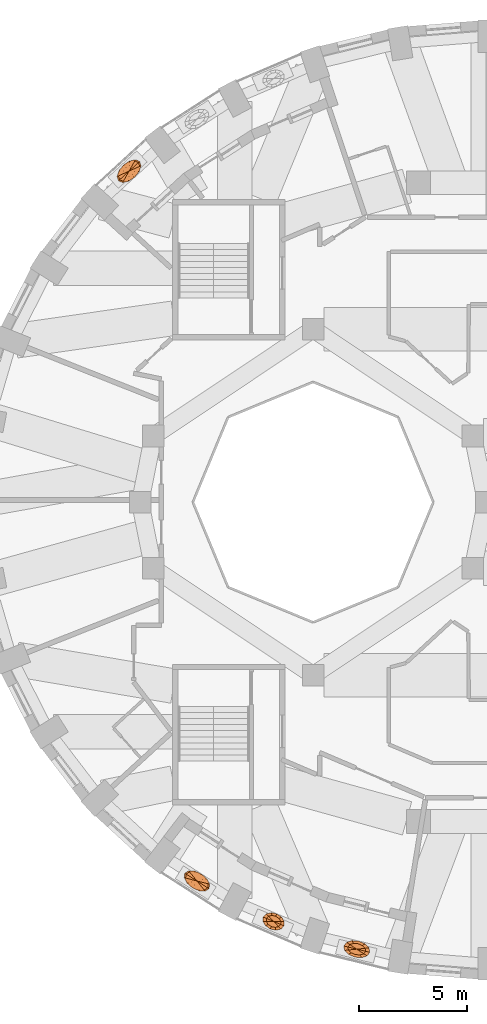
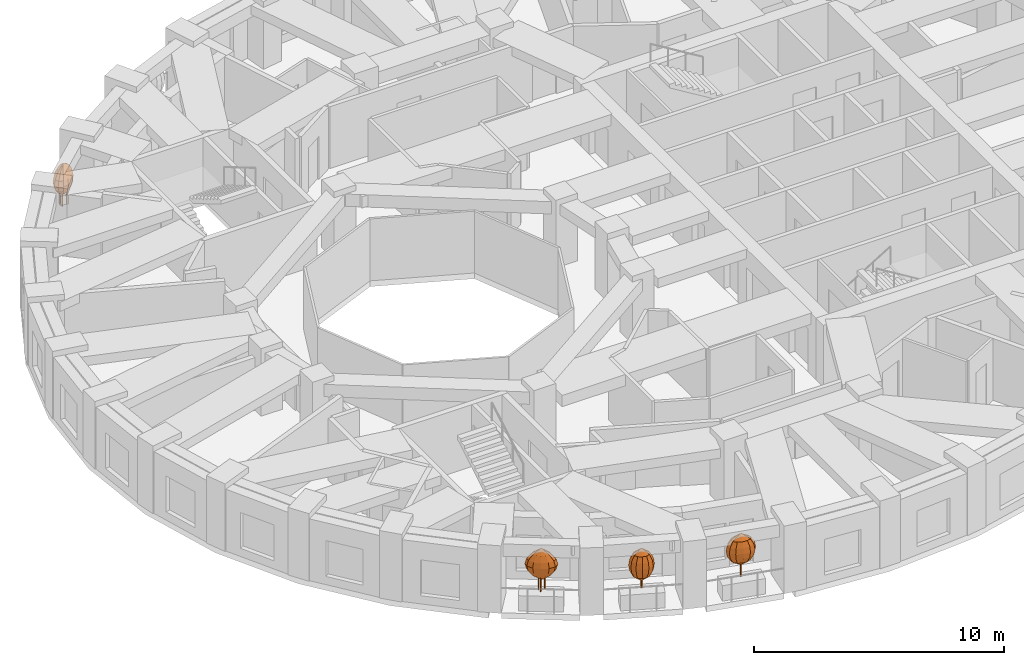
# One storey, part 11 of 12: 4 geographic elements.
"""IFC4 building model written with IfcOpenShell, lengths in metres."""

from ifc_helpers import new_model, si_unit, direction, frame, origin, place, context, subcontext, project, spatial, faceted_brep, material, constituent, constituent_set, type_object, element, save


model = new_model("IFC4")

# Units and contexts
model_context = context("Model", 3, precision=1e-05, world=origin(), true_north=direction((0.0, 1.0)))
body_context = subcontext(model_context, "Body", "Model", "MODEL_VIEW")
ifc_project = project(units=[si_unit("LENGTHUNIT", "METRE"), si_unit("AREAUNIT", "SQUARE_METRE"), si_unit("VOLUMEUNIT", "CUBIC_METRE"), si_unit("PLANEANGLEUNIT", "RADIAN"), si_unit("MASSUNIT", "GRAM", prefix="KILO")], contexts=[model_context])

# Site, building, storey
site_placement = place(None, origin())
site = spatial("IfcSite", under=ifc_project, at=site_placement, CompositionType="ELEMENT")
building_placement = place(site_placement, origin())
building = spatial("IfcBuilding", under=site, at=building_placement, Name="Taillehof Tower", CompositionType="ELEMENT")
storey_placement = place(building_placement, frame((0.0, 0.0, 164.89990234375)))
storey = spatial("IfcBuildingStorey", under=building, at=storey_placement, Name="L46", CompositionType="ELEMENT", Elevation=164.89990234375)

# Geographic elements
ifc_material_1 = material(Name="Tree bark", Category="timber")
ifc_constituent_1 = constituent(ifc_material_1, Name="Trunk", Category="timber")
ifc_material_2 = material(Name="Tree foliage")
ifc_constituent_2 = constituent(ifc_material_2, Name="Crown")
ifc_constituent_set_1 = constituent_set(constituents=[ifc_constituent_1, ifc_constituent_2], Name="Tree TR1 Columnar hornbeam")
geographic_element_type_1 = type_object("IfcGeographicElementType", Name="Tree TR1 Columnar hornbeam", PredefinedType="USERDEFINED", material=ifc_constituent_set_1)
geographic_element_1_placement = place(storey_placement, frame((-5.9794921875, -20.673583984375, 0.75)))
element("IfcGeographicElement", 1, at=geographic_element_1_placement, inside=storey, type_object=geographic_element_type_1, Name="Tree TR1 Columnar hornbeam", ObjectType="TREE", PredefinedType="USERDEFINED", context=body_context, shape_type="Brep", body=[
    faceted_brep([(0.030029296875, 0.0, 0.0), (0.021240234375, 0.021240234375, 0.0), (0.021240234375, 0.021240234375, 1.092529296875), (0.030029296875, 0.0, 1.092529296875), (0.0, 0.030029296875, 0.0), (0.0, 0.030029296875, 1.092529296875), (-0.021240234375, 0.021240234375, 0.0), (-0.021240234375, 0.021240234375, 1.092529296875), (-0.030029296875, 0.0, 0.0), (-0.030029296875, 0.0, 1.092529296875), (-0.021240234375, -0.021240234375, 0.0), (-0.021240234375, -0.021240234375, 1.092529296875), (0.0, -0.030029296875, 0.0), (0.0, -0.030029296875, 1.092529296875), (0.021240234375, -0.021240234375, 0.0), (0.021240234375, -0.021240234375, 1.092529296875)], [[[0, 1, 2, 3]], [[1, 4, 5, 2]], [[4, 6, 7, 5]], [[6, 8, 9, 7]], [[8, 10, 11, 9]], [[10, 12, 13, 11]], [[12, 14, 15, 13]], [[14, 0, 3, 15]], [[14, 12, 10, 8, 6, 4, 1, 0]], [[3, 2, 5, 7, 9, 11, 13, 15]]]),
    faceted_brep([(0.0, 0.0, 0.550048828125), (0.3857421875, 0.0390625, 0.808349609375), (0.40966796875, -0.100341796875, 0.808349609375), (0.25830078125, 0.168212890625, 0.808349609375), (0.061767578125, 0.252197265625, 0.808349609375), (-0.1513671875, 0.2685546875, 0.808349609375), (-0.323974609375, 0.212890625, 0.808349609375), (-0.40966796875, 0.100341796875, 0.808349609375), (-0.3857421875, -0.0390625, 0.808349609375), (-0.25830078125, -0.168212890625, 0.808349609375), (-0.061767578125, -0.252197265625, 0.808349609375), (0.1513671875, -0.2685546875, 0.808349609375), (0.323974609375, -0.212890625, 0.808349609375), (0.521728515625, 0.052978515625, 1.066650390625), (0.55419921875, -0.1357421875, 1.066650390625), (0.349365234375, 0.227294921875, 1.066650390625), (0.08349609375, 0.341064453125, 1.066650390625), (-0.20458984375, 0.36328125, 1.066650390625), (-0.43798828125, 0.2880859375, 1.066650390625), (-0.55419921875, 0.1357421875, 1.066650390625), (-0.521728515625, -0.052978515625, 1.066650390625), (-0.349365234375, -0.227294921875, 1.066650390625), (-0.08349609375, -0.341064453125, 1.066650390625), (0.20458984375, -0.36328125, 1.066650390625), (0.43798828125, -0.2880859375, 1.066650390625), (0.564697265625, 0.05712890625, 1.324951171875), (0.599853515625, -0.14697265625, 1.324951171875), (0.378173828125, 0.24609375, 1.324951171875), (0.090576171875, 0.369140625, 1.324951171875), (-0.221435546875, 0.39306640625, 1.324951171875), (-0.47412109375, 0.311767578125, 1.324951171875), (-0.599853515625, 0.14697265625, 1.324951171875), (-0.564697265625, -0.05712890625, 1.324951171875), (-0.378173828125, -0.24609375, 1.324951171875), (-0.090576171875, -0.369140625, 1.324951171875), (0.221435546875, -0.39306640625, 1.324951171875), (0.47412109375, -0.311767578125, 1.324951171875), (0.521728515625, 0.052978515625, 1.583251953125), (0.55419921875, -0.1357421875, 1.583251953125), (0.349365234375, 0.227294921875, 1.583251953125), (0.08349609375, 0.341064453125, 1.583251953125), (-0.20458984375, 0.36328125, 1.583251953125), (-0.43798828125, 0.2880859375, 1.583251953125), (-0.55419921875, 0.1357421875, 1.583251953125), (-0.521728515625, -0.052978515625, 1.583251953125), (-0.349365234375, -0.227294921875, 1.583251953125), (-0.08349609375, -0.341064453125, 1.583251953125), (0.20458984375, -0.36328125, 1.583251953125), (0.43798828125, -0.2880859375, 1.583251953125), (0.3857421875, 0.0390625, 1.841552734375), (0.40966796875, -0.100341796875, 1.841552734375), (0.25830078125, 0.168212890625, 1.841552734375), (0.061767578125, 0.252197265625, 1.841552734375), (-0.1513671875, 0.2685546875, 1.841552734375), (-0.323974609375, 0.212890625, 1.841552734375), (-0.40966796875, 0.100341796875, 1.841552734375), (-0.3857421875, -0.0390625, 1.841552734375), (-0.25830078125, -0.168212890625, 1.841552734375), (-0.061767578125, -0.252197265625, 1.841552734375), (0.1513671875, -0.2685546875, 1.841552734375), (0.323974609375, -0.212890625, 1.841552734375), (0.0, 0.0, 2.10009765625)], [[[0, 1, 2]], [[0, 3, 1]], [[0, 4, 3]], [[0, 5, 4]], [[0, 6, 5]], [[0, 7, 6]], [[0, 8, 7]], [[0, 9, 8]], [[0, 10, 9]], [[0, 11, 10]], [[0, 12, 11]], [[0, 2, 12]], [[2, 1, 13, 14]], [[1, 3, 15, 13]], [[3, 4, 16, 15]], [[4, 5, 17, 16]], [[5, 6, 18, 17]], [[6, 7, 19, 18]], [[7, 8, 20, 19]], [[8, 9, 21, 20]], [[9, 10, 22, 21]], [[10, 11, 23, 22]], [[11, 12, 24, 23]], [[12, 2, 14, 24]], [[14, 13, 25, 26]], [[13, 15, 27, 25]], [[15, 16, 28, 27]], [[16, 17, 29, 28]], [[17, 18, 30, 29]], [[18, 19, 31, 30]], [[19, 20, 32, 31]], [[20, 21, 33, 32]], [[21, 22, 34, 33]], [[22, 23, 35, 34]], [[23, 24, 36, 35]], [[24, 14, 26, 36]], [[26, 25, 37, 38]], [[25, 27, 39, 37]], [[27, 28, 40, 39]], [[28, 29, 41, 40]], [[29, 30, 42, 41]], [[30, 31, 43, 42]], [[31, 32, 44, 43]], [[32, 33, 45, 44]], [[33, 34, 46, 45]], [[34, 35, 47, 46]], [[35, 36, 48, 47]], [[36, 26, 38, 48]], [[38, 37, 49, 50]], [[37, 39, 51, 49]], [[39, 40, 52, 51]], [[40, 41, 53, 52]], [[41, 42, 54, 53]], [[42, 43, 55, 54]], [[43, 44, 56, 55]], [[44, 45, 57, 56]], [[45, 46, 58, 57]], [[46, 47, 59, 58]], [[47, 48, 60, 59]], [[48, 38, 50, 60]], [[50, 49, 61]], [[49, 51, 61]], [[51, 52, 61]], [[52, 53, 61]], [[53, 54, 61]], [[54, 55, 61]], [[55, 56, 61]], [[56, 57, 61]], [[57, 58, 61]], [[58, 59, 61]], [[59, 60, 61]], [[60, 50, 61]]]),
])
ifc_material_3 = material(Name="Tree bark", Category="timber")
ifc_constituent_3 = constituent(ifc_material_3, Name="Trunk", Category="timber")
ifc_material_4 = material(Name="Tree foliage")
ifc_constituent_4 = constituent(ifc_material_4, Name="Crown")
ifc_constituent_set_2 = constituent_set(constituents=[ifc_constituent_3, ifc_constituent_4], Name="Tree TR2 Fastigiate yew")
geographic_element_type_2 = type_object("IfcGeographicElementType", Name="Tree TR2 Fastigiate yew", PredefinedType="USERDEFINED", material=ifc_constituent_set_2)
geographic_element_2_placement = place(storey_placement, frame((-9.827392578125, -19.392333984375, 0.75)))
element("IfcGeographicElement", 2, at=geographic_element_2_placement, inside=storey, type_object=geographic_element_type_2, Name="Tree TR2 Fastigiate yew", ObjectType="TREE", PredefinedType="USERDEFINED", context=body_context, shape_type="Brep", body=[
    faceted_brep([(0.034912109375, 0.0, 0.0), (0.024658203125, 0.024658203125, 0.0), (0.024658203125, 0.024658203125, 0.909912109375), (0.034912109375, 0.0, 0.909912109375), (0.0, 0.034912109375, 0.0), (0.0, 0.034912109375, 0.909912109375), (-0.024658203125, 0.024658203125, 0.0), (-0.024658203125, 0.024658203125, 0.909912109375), (-0.034912109375, 0.0, 0.0), (-0.034912109375, 0.0, 0.909912109375), (-0.024658203125, -0.024658203125, 0.0), (-0.024658203125, -0.024658203125, 0.909912109375), (0.0, -0.034912109375, 0.0), (0.0, -0.034912109375, 0.909912109375), (0.024658203125, -0.024658203125, 0.0), (0.024658203125, -0.024658203125, 0.909912109375)], [[[0, 1, 2, 3]], [[1, 4, 5, 2]], [[4, 6, 7, 5]], [[6, 8, 9, 7]], [[8, 10, 11, 9]], [[10, 12, 13, 11]], [[12, 14, 15, 13]], [[14, 0, 3, 15]], [[14, 12, 10, 8, 6, 4, 1, 0]], [[3, 2, 5, 7, 9, 11, 13, 15]]]),
    faceted_brep([(0.0, 0.0, 0.35009765625), (0.335205078125, -0.001953125, 0.61669921875), (0.328369140625, -0.14013671875, 0.61669921875), (0.25244140625, 0.13671875, 0.61669921875), (0.101806640625, 0.23876953125, 0.61669921875), (-0.075927734375, 0.27685546875, 0.61669921875), (-0.2333984375, 0.24072265625, 0.61669921875), (-0.328369140625, 0.14013671875, 0.61669921875), (-0.335205078125, 0.001953125, 0.61669921875), (-0.25244140625, -0.13671875, 0.61669921875), (-0.101806640625, -0.23876953125, 0.61669921875), (0.075927734375, -0.27685546875, 0.61669921875), (0.2333984375, -0.24072265625, 0.61669921875), (0.453369140625, -0.002685546875, 0.88330078125), (0.444091796875, -0.189453125, 0.88330078125), (0.34130859375, 0.18505859375, 0.88330078125), (0.1376953125, 0.322998046875, 0.88330078125), (-0.102783203125, 0.374267578125, 0.88330078125), (-0.315673828125, 0.325439453125, 0.88330078125), (-0.444091796875, 0.189453125, 0.88330078125), (-0.453369140625, 0.002685546875, 0.88330078125), (-0.34130859375, -0.18505859375, 0.88330078125), (-0.1376953125, -0.322998046875, 0.88330078125), (0.102783203125, -0.374267578125, 0.88330078125), (0.315673828125, -0.325439453125, 0.88330078125), (0.49072265625, -0.002685546875, 1.14990234375), (0.480712890625, -0.205078125, 1.14990234375), (0.369384765625, 0.2001953125, 1.14990234375), (0.149169921875, 0.349609375, 1.14990234375), (-0.111083984375, 0.4052734375, 1.14990234375), (-0.341552734375, 0.352294921875, 1.14990234375), (-0.480712890625, 0.205078125, 1.14990234375), (-0.49072265625, 0.002685546875, 1.14990234375), (-0.369384765625, -0.2001953125, 1.14990234375), (-0.149169921875, -0.349609375, 1.14990234375), (0.111083984375, -0.4052734375, 1.14990234375), (0.341552734375, -0.352294921875, 1.14990234375), (0.453369140625, -0.002685546875, 1.416748046875), (0.444091796875, -0.189453125, 1.416748046875), (0.34130859375, 0.18505859375, 1.416748046875), (0.1376953125, 0.322998046875, 1.416748046875), (-0.102783203125, 0.374267578125, 1.416748046875), (-0.315673828125, 0.325439453125, 1.416748046875), (-0.444091796875, 0.189453125, 1.416748046875), (-0.453369140625, 0.002685546875, 1.416748046875), (-0.34130859375, -0.18505859375, 1.416748046875), (-0.1376953125, -0.322998046875, 1.416748046875), (0.102783203125, -0.374267578125, 1.416748046875), (0.315673828125, -0.325439453125, 1.416748046875), (0.335205078125, -0.001953125, 1.683349609375), (0.328369140625, -0.14013671875, 1.683349609375), (0.25244140625, 0.13671875, 1.683349609375), (0.101806640625, 0.23876953125, 1.683349609375), (-0.075927734375, 0.27685546875, 1.683349609375), (-0.2333984375, 0.24072265625, 1.683349609375), (-0.328369140625, 0.14013671875, 1.683349609375), (-0.335205078125, 0.001953125, 1.683349609375), (-0.25244140625, -0.13671875, 1.683349609375), (-0.101806640625, -0.23876953125, 1.683349609375), (0.075927734375, -0.27685546875, 1.683349609375), (0.2333984375, -0.24072265625, 1.683349609375), (0.0, 0.0, 1.949951171875)], [[[0, 1, 2]], [[0, 3, 1]], [[0, 4, 3]], [[0, 5, 4]], [[0, 6, 5]], [[0, 7, 6]], [[0, 8, 7]], [[0, 9, 8]], [[0, 10, 9]], [[0, 11, 10]], [[0, 12, 11]], [[0, 2, 12]], [[2, 1, 13, 14]], [[1, 3, 15, 13]], [[3, 4, 16, 15]], [[4, 5, 17, 16]], [[5, 6, 18, 17]], [[6, 7, 19, 18]], [[7, 8, 20, 19]], [[8, 9, 21, 20]], [[9, 10, 22, 21]], [[10, 11, 23, 22]], [[11, 12, 24, 23]], [[12, 2, 14, 24]], [[14, 13, 25, 26]], [[13, 15, 27, 25]], [[15, 16, 28, 27]], [[16, 17, 29, 28]], [[17, 18, 30, 29]], [[18, 19, 31, 30]], [[19, 20, 32, 31]], [[20, 21, 33, 32]], [[21, 22, 34, 33]], [[22, 23, 35, 34]], [[23, 24, 36, 35]], [[24, 14, 26, 36]], [[26, 25, 37, 38]], [[25, 27, 39, 37]], [[27, 28, 40, 39]], [[28, 29, 41, 40]], [[29, 30, 42, 41]], [[30, 31, 43, 42]], [[31, 32, 44, 43]], [[32, 33, 45, 44]], [[33, 34, 46, 45]], [[34, 35, 47, 46]], [[35, 36, 48, 47]], [[36, 26, 38, 48]], [[38, 37, 49, 50]], [[37, 39, 51, 49]], [[39, 40, 52, 51]], [[40, 41, 53, 52]], [[41, 42, 54, 53]], [[42, 43, 55, 54]], [[43, 44, 56, 55]], [[44, 45, 57, 56]], [[45, 46, 58, 57]], [[46, 47, 59, 58]], [[47, 48, 60, 59]], [[48, 38, 50, 60]], [[50, 49, 61]], [[49, 51, 61]], [[51, 52, 61]], [[52, 53, 61]], [[53, 54, 61]], [[54, 55, 61]], [[55, 56, 61]], [[56, 57, 61]], [[57, 58, 61]], [[58, 59, 61]], [[59, 60, 61]], [[60, 50, 61]]]),
])
ifc_material_5 = material(Name="Tree bark", Category="timber")
ifc_constituent_5 = constituent(ifc_material_5, Name="Trunk", Category="timber")
ifc_material_6 = material(Name="Tree foliage")
ifc_constituent_6 = constituent(ifc_material_6, Name="Crown")
ifc_constituent_set_3 = constituent_set(constituents=[ifc_constituent_5, ifc_constituent_6], Name="Tree TR3 Multi-stem serviceberry")
geographic_element_type_3 = type_object("IfcGeographicElementType", Name="Tree TR3 Multi-stem serviceberry", PredefinedType="USERDEFINED", material=ifc_constituent_set_3)
geographic_element_3_placement = place(storey_placement, frame((-16.51220703125, 15.31005859375, 0.75)))
element("IfcGeographicElement", 3, at=geographic_element_3_placement, inside=storey, type_object=geographic_element_type_3, Name="Tree TR3 Multi-stem serviceberry", ObjectType="TREE", PredefinedType="USERDEFINED", context=body_context, shape_type="Brep", body=[
    faceted_brep([(0.195068359375, 0.0, 0.0), (0.186767578125, 0.0205078125, 0.0), (0.186767578125, 0.0205078125, 1.04248046875), (0.195068359375, 0.0, 1.04248046875), (0.166259765625, 0.02880859375, 0.0), (0.166259765625, 0.02880859375, 1.04248046875), (0.145751953125, 0.0205078125, 0.0), (0.145751953125, 0.0205078125, 1.04248046875), (0.137451171875, 0.0, 0.0), (0.137451171875, 0.0, 1.04248046875), (0.145751953125, -0.0205078125, 0.0), (0.145751953125, -0.0205078125, 1.04248046875), (0.166259765625, -0.02880859375, 0.0), (0.166259765625, -0.02880859375, 1.04248046875), (0.186767578125, -0.0205078125, 0.0), (0.186767578125, -0.0205078125, 1.04248046875)], [[[0, 1, 2, 3]], [[1, 4, 5, 2]], [[4, 6, 7, 5]], [[6, 8, 9, 7]], [[8, 10, 11, 9]], [[10, 12, 13, 11]], [[12, 14, 15, 13]], [[14, 0, 3, 15]], [[14, 12, 10, 8, 6, 4, 1, 0]], [[3, 2, 5, 7, 9, 11, 13, 15]]]),
    faceted_brep([(-0.05419921875, 0.082275390625, 0.0), (-0.062744140625, 0.102783203125, 0.0), (-0.062744140625, 0.102783203125, 1.04248046875), (-0.05419921875, 0.082275390625, 1.04248046875), (-0.0830078125, 0.111083984375, 0.0), (-0.0830078125, 0.111083984375, 1.04248046875), (-0.103515625, 0.102783203125, 0.0), (-0.103515625, 0.102783203125, 1.04248046875), (-0.112060546875, 0.082275390625, 0.0), (-0.112060546875, 0.082275390625, 1.04248046875), (-0.103515625, 0.061767578125, 0.0), (-0.103515625, 0.061767578125, 1.04248046875), (-0.0830078125, 0.053466796875, 0.0), (-0.0830078125, 0.053466796875, 1.04248046875), (-0.062744140625, 0.061767578125, 0.0), (-0.062744140625, 0.061767578125, 1.04248046875)], [[[0, 1, 2, 3]], [[1, 4, 5, 2]], [[4, 6, 7, 5]], [[6, 8, 9, 7]], [[8, 10, 11, 9]], [[10, 12, 13, 11]], [[12, 14, 15, 13]], [[14, 0, 3, 15]], [[14, 12, 10, 8, 6, 4, 1, 0]], [[3, 2, 5, 7, 9, 11, 13, 15]]]),
    faceted_brep([(-0.05419921875, -0.082275390625, 0.0), (-0.062744140625, -0.061767578125, 0.0), (-0.062744140625, -0.061767578125, 1.04248046875), (-0.05419921875, -0.082275390625, 1.04248046875), (-0.0830078125, -0.053466796875, 0.0), (-0.0830078125, -0.053466796875, 1.04248046875), (-0.103515625, -0.061767578125, 0.0), (-0.103515625, -0.061767578125, 1.04248046875), (-0.112060546875, -0.082275390625, 0.0), (-0.112060546875, -0.082275390625, 1.04248046875), (-0.103515625, -0.102783203125, 0.0), (-0.103515625, -0.102783203125, 1.04248046875), (-0.0830078125, -0.111083984375, 0.0), (-0.0830078125, -0.111083984375, 1.04248046875), (-0.062744140625, -0.102783203125, 0.0), (-0.062744140625, -0.102783203125, 1.04248046875)], [[[0, 1, 2, 3]], [[1, 4, 5, 2]], [[4, 6, 7, 5]], [[6, 8, 9, 7]], [[8, 10, 11, 9]], [[10, 12, 13, 11]], [[12, 14, 15, 13]], [[14, 0, 3, 15]], [[14, 12, 10, 8, 6, 4, 1, 0]], [[3, 2, 5, 7, 9, 11, 13, 15]]]),
    faceted_brep([(0.0, 0.0, 0.5), (-0.17041015625, -0.3037109375, 0.75830078125), (-0.28173828125, -0.2578125, 0.75830078125), (-0.013427734375, -0.268310546875, 0.75830078125), (0.147216796875, -0.1611328125, 0.75830078125), (0.2685546875, -0.010498046875, 0.75830078125), (0.317626953125, 0.142822265625, 0.75830078125), (0.28173828125, 0.2578125, 0.75830078125), (0.17041015625, 0.3037109375, 0.75830078125), (0.013427734375, 0.268310546875, 0.75830078125), (-0.147216796875, 0.1611328125, 0.75830078125), (-0.2685546875, 0.010498046875, 0.75830078125), (-0.317626953125, -0.142822265625, 0.75830078125), (-0.264404296875, -0.471435546875, 1.0166015625), (-0.437255859375, -0.400146484375, 1.0166015625), (-0.020751953125, -0.41650390625, 1.0166015625), (0.228515625, -0.25, 1.0166015625), (0.416748046875, -0.016357421875, 1.0166015625), (0.492919921875, 0.221435546875, 1.0166015625), (0.437255859375, 0.400146484375, 1.0166015625), (0.264404296875, 0.471435546875, 1.0166015625), (0.020751953125, 0.41650390625, 1.0166015625), (-0.228515625, 0.25, 1.0166015625), (-0.416748046875, 0.016357421875, 1.0166015625), (-0.492919921875, -0.221435546875, 1.0166015625), (-0.296630859375, -0.52880859375, 1.27490234375), (-0.49072265625, -0.448974609375, 1.27490234375), (-0.023193359375, -0.46728515625, 1.27490234375), (0.256591796875, -0.2802734375, 1.27490234375), (0.467529296875, -0.018310546875, 1.27490234375), (0.55322265625, 0.24853515625, 1.27490234375), (0.49072265625, 0.448974609375, 1.27490234375), (0.296630859375, 0.52880859375, 1.27490234375), (0.023193359375, 0.46728515625, 1.27490234375), (-0.256591796875, 0.2802734375, 1.27490234375), (-0.467529296875, 0.018310546875, 1.27490234375), (-0.55322265625, -0.24853515625, 1.27490234375), (-0.264404296875, -0.471435546875, 1.533447265625), (-0.437255859375, -0.400146484375, 1.533447265625), (-0.020751953125, -0.41650390625, 1.533447265625), (0.228515625, -0.25, 1.533447265625), (0.416748046875, -0.016357421875, 1.533447265625), (0.492919921875, 0.221435546875, 1.533447265625), (0.437255859375, 0.400146484375, 1.533447265625), (0.264404296875, 0.471435546875, 1.533447265625), (0.020751953125, 0.41650390625, 1.533447265625), (-0.228515625, 0.25, 1.533447265625), (-0.416748046875, 0.016357421875, 1.533447265625), (-0.492919921875, -0.221435546875, 1.533447265625), (-0.17041015625, -0.3037109375, 1.791748046875), (-0.28173828125, -0.2578125, 1.791748046875), (-0.013427734375, -0.268310546875, 1.791748046875), (0.147216796875, -0.1611328125, 1.791748046875), (0.2685546875, -0.010498046875, 1.791748046875), (0.317626953125, 0.142822265625, 1.791748046875), (0.28173828125, 0.2578125, 1.791748046875), (0.17041015625, 0.3037109375, 1.791748046875), (0.013427734375, 0.268310546875, 1.791748046875), (-0.147216796875, 0.1611328125, 1.791748046875), (-0.2685546875, 0.010498046875, 1.791748046875), (-0.317626953125, -0.142822265625, 1.791748046875), (0.0, 0.0, 2.050048828125)], [[[0, 1, 2]], [[0, 3, 1]], [[0, 4, 3]], [[0, 5, 4]], [[0, 6, 5]], [[0, 7, 6]], [[0, 8, 7]], [[0, 9, 8]], [[0, 10, 9]], [[0, 11, 10]], [[0, 12, 11]], [[0, 2, 12]], [[2, 1, 13, 14]], [[1, 3, 15, 13]], [[3, 4, 16, 15]], [[4, 5, 17, 16]], [[5, 6, 18, 17]], [[6, 7, 19, 18]], [[7, 8, 20, 19]], [[8, 9, 21, 20]], [[9, 10, 22, 21]], [[10, 11, 23, 22]], [[11, 12, 24, 23]], [[12, 2, 14, 24]], [[14, 13, 25, 26]], [[13, 15, 27, 25]], [[15, 16, 28, 27]], [[16, 17, 29, 28]], [[17, 18, 30, 29]], [[18, 19, 31, 30]], [[19, 20, 32, 31]], [[20, 21, 33, 32]], [[21, 22, 34, 33]], [[22, 23, 35, 34]], [[23, 24, 36, 35]], [[24, 14, 26, 36]], [[26, 25, 37, 38]], [[25, 27, 39, 37]], [[27, 28, 40, 39]], [[28, 29, 41, 40]], [[29, 30, 42, 41]], [[30, 31, 43, 42]], [[31, 32, 44, 43]], [[32, 33, 45, 44]], [[33, 34, 46, 45]], [[34, 35, 47, 46]], [[35, 36, 48, 47]], [[36, 26, 38, 48]], [[38, 37, 49, 50]], [[37, 39, 51, 49]], [[39, 40, 52, 51]], [[40, 41, 53, 52]], [[41, 42, 54, 53]], [[42, 43, 55, 54]], [[43, 44, 56, 55]], [[44, 45, 57, 56]], [[45, 46, 58, 57]], [[46, 47, 59, 58]], [[47, 48, 60, 59]], [[48, 38, 50, 60]], [[50, 49, 61]], [[49, 51, 61]], [[51, 52, 61]], [[52, 53, 61]], [[53, 54, 61]], [[54, 55, 61]], [[55, 56, 61]], [[56, 57, 61]], [[57, 58, 61]], [[58, 59, 61]], [[59, 60, 61]], [[60, 50, 61]]]),
])
geographic_element_4_placement = place(storey_placement, frame((-13.374267578125, -17.518798828125, 0.75)))
element("IfcGeographicElement", 4, at=geographic_element_4_placement, inside=storey, type_object=geographic_element_type_3, Name="Tree TR3 Multi-stem serviceberry", ObjectType="TREE", PredefinedType="USERDEFINED", context=body_context, shape_type="Brep", body=[
    faceted_brep([(0.195068359375, 0.0, 0.0), (0.186767578125, 0.0205078125, 0.0), (0.186767578125, 0.0205078125, 1.04248046875), (0.195068359375, 0.0, 1.04248046875), (0.166259765625, 0.02880859375, 0.0), (0.166259765625, 0.02880859375, 1.04248046875), (0.145751953125, 0.0205078125, 0.0), (0.145751953125, 0.0205078125, 1.04248046875), (0.137451171875, 0.0, 0.0), (0.137451171875, 0.0, 1.04248046875), (0.145751953125, -0.0205078125, 0.0), (0.145751953125, -0.0205078125, 1.04248046875), (0.166259765625, -0.02880859375, 0.0), (0.166259765625, -0.02880859375, 1.04248046875), (0.186767578125, -0.0205078125, 0.0), (0.186767578125, -0.0205078125, 1.04248046875)], [[[0, 1, 2, 3]], [[1, 4, 5, 2]], [[4, 6, 7, 5]], [[6, 8, 9, 7]], [[8, 10, 11, 9]], [[10, 12, 13, 11]], [[12, 14, 15, 13]], [[14, 0, 3, 15]], [[14, 12, 10, 8, 6, 4, 1, 0]], [[3, 2, 5, 7, 9, 11, 13, 15]]]),
    faceted_brep([(-0.05419921875, 0.082275390625, 0.0), (-0.062744140625, 0.102783203125, 0.0), (-0.062744140625, 0.102783203125, 1.04248046875), (-0.05419921875, 0.082275390625, 1.04248046875), (-0.0830078125, 0.111083984375, 0.0), (-0.0830078125, 0.111083984375, 1.04248046875), (-0.103515625, 0.102783203125, 0.0), (-0.103515625, 0.102783203125, 1.04248046875), (-0.112060546875, 0.082275390625, 0.0), (-0.112060546875, 0.082275390625, 1.04248046875), (-0.103515625, 0.061767578125, 0.0), (-0.103515625, 0.061767578125, 1.04248046875), (-0.0830078125, 0.053466796875, 0.0), (-0.0830078125, 0.053466796875, 1.04248046875), (-0.062744140625, 0.061767578125, 0.0), (-0.062744140625, 0.061767578125, 1.04248046875)], [[[0, 1, 2, 3]], [[1, 4, 5, 2]], [[4, 6, 7, 5]], [[6, 8, 9, 7]], [[8, 10, 11, 9]], [[10, 12, 13, 11]], [[12, 14, 15, 13]], [[14, 0, 3, 15]], [[14, 12, 10, 8, 6, 4, 1, 0]], [[3, 2, 5, 7, 9, 11, 13, 15]]]),
    faceted_brep([(-0.05419921875, -0.082275390625, 0.0), (-0.062744140625, -0.061767578125, 0.0), (-0.062744140625, -0.061767578125, 1.04248046875), (-0.05419921875, -0.082275390625, 1.04248046875), (-0.0830078125, -0.053466796875, 0.0), (-0.0830078125, -0.053466796875, 1.04248046875), (-0.103515625, -0.061767578125, 0.0), (-0.103515625, -0.061767578125, 1.04248046875), (-0.112060546875, -0.082275390625, 0.0), (-0.112060546875, -0.082275390625, 1.04248046875), (-0.103515625, -0.102783203125, 0.0), (-0.103515625, -0.102783203125, 1.04248046875), (-0.0830078125, -0.111083984375, 0.0), (-0.0830078125, -0.111083984375, 1.04248046875), (-0.062744140625, -0.102783203125, 0.0), (-0.062744140625, -0.102783203125, 1.04248046875)], [[[0, 1, 2, 3]], [[1, 4, 5, 2]], [[4, 6, 7, 5]], [[6, 8, 9, 7]], [[8, 10, 11, 9]], [[10, 12, 13, 11]], [[12, 14, 15, 13]], [[14, 0, 3, 15]], [[14, 12, 10, 8, 6, 4, 1, 0]], [[3, 2, 5, 7, 9, 11, 13, 15]]]),
    faceted_brep([(0.0, 0.0, 0.5), (0.33740234375, -0.08642578125, 0.75830078125), (0.321533203125, -0.2060546875, 0.75830078125), (0.2626953125, 0.05615234375, 0.75830078125), (0.11767578125, 0.183837890625, 0.75830078125), (-0.058837890625, 0.26220703125, 0.75830078125), (-0.2197265625, 0.270263671875, 0.75830078125), (-0.321533203125, 0.2060546875, 0.75830078125), (-0.33740234375, 0.08642578125, 0.75830078125), (-0.2626953125, -0.05615234375, 0.75830078125), (-0.11767578125, -0.183837890625, 0.75830078125), (0.058837890625, -0.26220703125, 0.75830078125), (0.2197265625, -0.270263671875, 0.75830078125), (0.523681640625, -0.13427734375, 1.0166015625), (0.4990234375, -0.31982421875, 1.0166015625), (0.40771484375, 0.087158203125, 1.0166015625), (0.1826171875, 0.28515625, 1.0166015625), (-0.09130859375, 0.40673828125, 1.0166015625), (-0.3408203125, 0.41943359375, 1.0166015625), (-0.4990234375, 0.31982421875, 1.0166015625), (-0.523681640625, 0.13427734375, 1.0166015625), (-0.40771484375, -0.087158203125, 1.0166015625), (-0.1826171875, -0.28515625, 1.0166015625), (0.09130859375, -0.40673828125, 1.0166015625), (0.3408203125, -0.41943359375, 1.0166015625), (0.58740234375, -0.150634765625, 1.27490234375), (0.56005859375, -0.358642578125, 1.27490234375), (0.45751953125, 0.09765625, 1.27490234375), (0.205078125, 0.320068359375, 1.27490234375), (-0.1025390625, 0.45654296875, 1.27490234375), (-0.382568359375, 0.470703125, 1.27490234375), (-0.56005859375, 0.358642578125, 1.27490234375), (-0.58740234375, 0.150634765625, 1.27490234375), (-0.45751953125, -0.09765625, 1.27490234375), (-0.205078125, -0.320068359375, 1.27490234375), (0.1025390625, -0.45654296875, 1.27490234375), (0.382568359375, -0.470703125, 1.27490234375), (0.523681640625, -0.13427734375, 1.533447265625), (0.4990234375, -0.31982421875, 1.533447265625), (0.40771484375, 0.087158203125, 1.533447265625), (0.1826171875, 0.28515625, 1.533447265625), (-0.09130859375, 0.40673828125, 1.533447265625), (-0.3408203125, 0.41943359375, 1.533447265625), (-0.4990234375, 0.31982421875, 1.533447265625), (-0.523681640625, 0.13427734375, 1.533447265625), (-0.40771484375, -0.087158203125, 1.533447265625), (-0.1826171875, -0.28515625, 1.533447265625), (0.09130859375, -0.40673828125, 1.533447265625), (0.3408203125, -0.41943359375, 1.533447265625), (0.33740234375, -0.08642578125, 1.791748046875), (0.321533203125, -0.2060546875, 1.791748046875), (0.2626953125, 0.05615234375, 1.791748046875), (0.11767578125, 0.183837890625, 1.791748046875), (-0.058837890625, 0.26220703125, 1.791748046875), (-0.2197265625, 0.270263671875, 1.791748046875), (-0.321533203125, 0.2060546875, 1.791748046875), (-0.33740234375, 0.08642578125, 1.791748046875), (-0.2626953125, -0.05615234375, 1.791748046875), (-0.11767578125, -0.183837890625, 1.791748046875), (0.058837890625, -0.26220703125, 1.791748046875), (0.2197265625, -0.270263671875, 1.791748046875), (0.0, 0.0, 2.050048828125)], [[[0, 1, 2]], [[0, 3, 1]], [[0, 4, 3]], [[0, 5, 4]], [[0, 6, 5]], [[0, 7, 6]], [[0, 8, 7]], [[0, 9, 8]], [[0, 10, 9]], [[0, 11, 10]], [[0, 12, 11]], [[0, 2, 12]], [[2, 1, 13, 14]], [[1, 3, 15, 13]], [[3, 4, 16, 15]], [[4, 5, 17, 16]], [[5, 6, 18, 17]], [[6, 7, 19, 18]], [[7, 8, 20, 19]], [[8, 9, 21, 20]], [[9, 10, 22, 21]], [[10, 11, 23, 22]], [[11, 12, 24, 23]], [[12, 2, 14, 24]], [[14, 13, 25, 26]], [[13, 15, 27, 25]], [[15, 16, 28, 27]], [[16, 17, 29, 28]], [[17, 18, 30, 29]], [[18, 19, 31, 30]], [[19, 20, 32, 31]], [[20, 21, 33, 32]], [[21, 22, 34, 33]], [[22, 23, 35, 34]], [[23, 24, 36, 35]], [[24, 14, 26, 36]], [[26, 25, 37, 38]], [[25, 27, 39, 37]], [[27, 28, 40, 39]], [[28, 29, 41, 40]], [[29, 30, 42, 41]], [[30, 31, 43, 42]], [[31, 32, 44, 43]], [[32, 33, 45, 44]], [[33, 34, 46, 45]], [[34, 35, 47, 46]], [[35, 36, 48, 47]], [[36, 26, 38, 48]], [[38, 37, 49, 50]], [[37, 39, 51, 49]], [[39, 40, 52, 51]], [[40, 41, 53, 52]], [[41, 42, 54, 53]], [[42, 43, 55, 54]], [[43, 44, 56, 55]], [[44, 45, 57, 56]], [[45, 46, 58, 57]], [[46, 47, 59, 58]], [[47, 48, 60, 59]], [[48, 38, 50, 60]], [[50, 49, 61]], [[49, 51, 61]], [[51, 52, 61]], [[52, 53, 61]], [[53, 54, 61]], [[54, 55, 61]], [[55, 56, 61]], [[56, 57, 61]], [[57, 58, 61]], [[58, 59, 61]], [[59, 60, 61]], [[60, 50, 61]]]),
])

save(model, "model.ifc")
